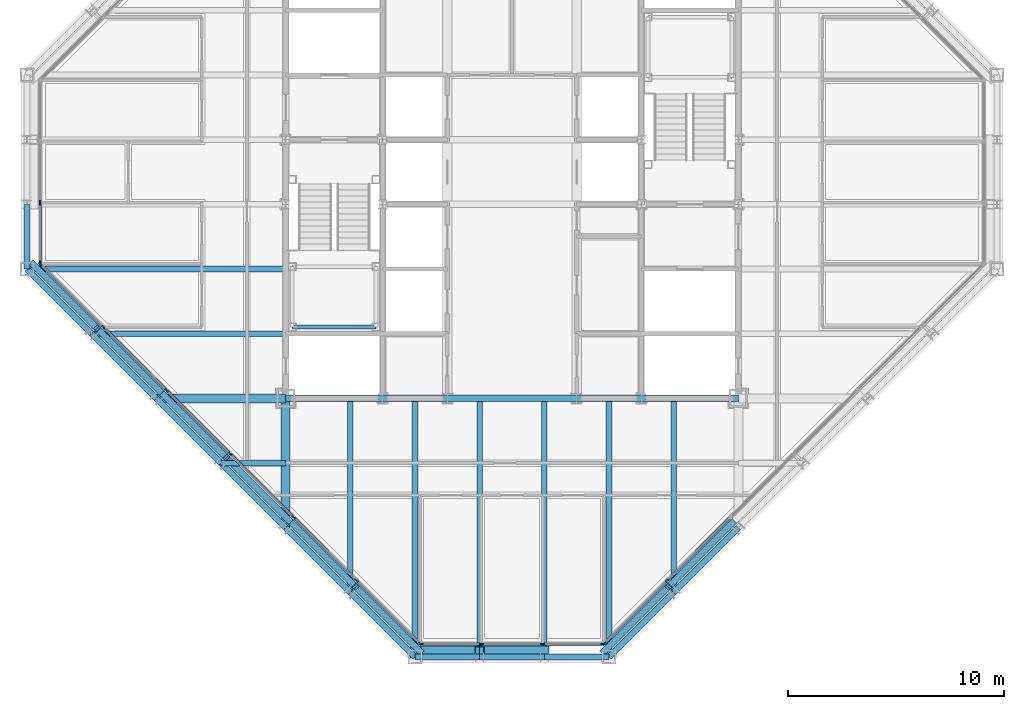
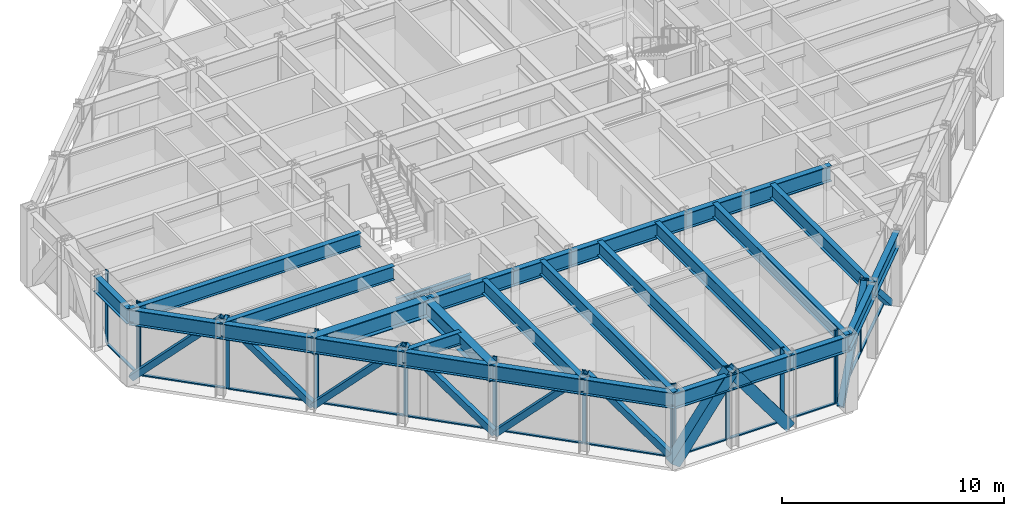
# One storey, part 5 of 15: 37 members, 29 beams, 4 elements without a shape of their own.
"""IFC4 building model written with IfcOpenShell, lengths in metres."""

from ifc_helpers import new_model, si_unit, direction, frame, origin, origin_2d, place, context, subcontext, project, spatial, rectangle, hollow_rectangle, i_section, extrude, material, layer, layer_set, material_profile, profile_set, type_object, element, aggregate, save


model = new_model("IFC4")

# Units and contexts
model_context = context("Model", 3, precision=1e-05, world=origin(), true_north=direction((0.0, 1.0)))
body_context = subcontext(model_context, "Body", "Model", "MODEL_VIEW")
ifc_project = project(units=[si_unit("LENGTHUNIT", "METRE"), si_unit("AREAUNIT", "SQUARE_METRE"), si_unit("VOLUMEUNIT", "CUBIC_METRE"), si_unit("PLANEANGLEUNIT", "RADIAN"), si_unit("MASSUNIT", "GRAM", prefix="KILO")], contexts=[model_context])

# Site, building, storey
site_placement = place(None, origin())
site = spatial("IfcSite", under=ifc_project, at=site_placement, CompositionType="ELEMENT")
building_placement = place(site_placement, origin())
building = spatial("IfcBuilding", under=site, at=building_placement, Name="Chuquiago Exchange Tower", CompositionType="ELEMENT")
storey_placement = place(building_placement, frame((0.0, 0.0, 295.800048828125)))
storey = spatial("IfcBuildingStorey", under=building, at=storey_placement, Name="L66", CompositionType="ELEMENT", Elevation=295.800048828125)

# Beams
ifc_material_1 = material(Name="Steel ASTM A992", Category="steel")
ifc_material_profile_1 = material_profile(ifc_material_1, i_section(OverallWidth=0.2919921875, OverallDepth=0.8583984375, WebThickness=0.01708984375, FlangeThickness=0.031005859375, at=origin_2d()), Name="W33X169")
ifc_profile_set_1 = profile_set([ifc_material_profile_1], Name="Steel ASTM A992")
beam_type_1 = type_object("IfcBeamType", Name="B3 W33X169", PredefinedType="BEAM", material=ifc_profile_set_1)
beam_1_placement = place(storey_placement, frame((12.0, 12.0, 3.610595703125), z_axis=(1.0, 0.0, 0.0), x_axis=(0.0, 1.0, 0.0)))
element("IfcBeam", 1, at=beam_1_placement, inside=storey, type_object=beam_type_1, Name="CB-L67-12_12-16.5_12", PredefinedType="BEAM", context=body_context, shape_type="SweptSolid", body=[
    extrude(i_section(OverallWidth=0.2919921875, OverallDepth=0.8583984375, WebThickness=0.01708984375, FlangeThickness=0.031005859375, at=origin_2d()), origin(), (0.0, 0.0, 1.0), 4.5),
])
beam_2_placement = place(storey_placement, frame((16.5, 12.0, 3.610595703125), z_axis=(1.0, 0.0, 0.0), x_axis=(0.0, 1.0, 0.0)))
element("IfcBeam", 2, at=beam_2_placement, inside=storey, type_object=beam_type_1, Name="CB-L67-16.5_12-19.5_12", PredefinedType="BEAM", context=body_context, shape_type="SweptSolid", body=[
    extrude(i_section(OverallWidth=0.2919921875, OverallDepth=0.8583984375, WebThickness=0.01708984375, FlangeThickness=0.031005859375, at=origin_2d()), origin(), (0.0, 0.0, 1.0), 3.0),
])
beam_3_placement = place(storey_placement, frame((19.5, 12.0, 3.610595703125), z_axis=(1.0, 0.0, 0.0), x_axis=(0.0, 1.0, 0.0)))
element("IfcBeam", 3, at=beam_3_placement, inside=storey, type_object=beam_type_1, Name="CB-L67-19.5_12-25.5_12", PredefinedType="BEAM", context=body_context, shape_type="SweptSolid", body=[
    extrude(i_section(OverallWidth=0.2919921875, OverallDepth=0.8583984375, WebThickness=0.01708984375, FlangeThickness=0.031005859375, at=origin_2d()), origin(), (0.0, 0.0, 1.0), 6.0),
])
beam_4_placement = place(storey_placement, frame((25.5, 12.0, 3.610595703125), z_axis=(1.0, 0.0, 0.0), x_axis=(0.0, 1.0, 0.0)))
element("IfcBeam", 4, at=beam_4_placement, inside=storey, type_object=beam_type_1, Name="CB-L67-25.5_12-28.5_12", PredefinedType="BEAM", context=body_context, shape_type="SweptSolid", body=[
    extrude(i_section(OverallWidth=0.2919921875, OverallDepth=0.8583984375, WebThickness=0.01708984375, FlangeThickness=0.031005859375, at=origin_2d()), origin(), (0.0, 0.0, 1.0), 3.0),
])
beam_5_placement = place(storey_placement, frame((28.5, 12.0, 3.610595703125), z_axis=(1.0, 0.0, 0.0), x_axis=(0.0, 1.0, 0.0)))
element("IfcBeam", 5, at=beam_5_placement, inside=storey, type_object=beam_type_1, Name="CB-L67-28.5_12-33_12", PredefinedType="BEAM", context=body_context, shape_type="SweptSolid", body=[
    extrude(i_section(OverallWidth=0.2919921875, OverallDepth=0.8583984375, WebThickness=0.01708984375, FlangeThickness=0.031005859375, at=origin_2d()), origin(), (0.0, 0.0, 1.0), 4.5),
])
ifc_material_2 = material(Name="Steel ASTM A992", Category="steel")
ifc_material_profile_2 = material_profile(ifc_material_2, i_section(OverallWidth=0.2666015625, OverallDepth=0.761962890625, WebThickness=0.014404296875, FlangeThickness=0.021484375, at=origin_2d()), Name="W30X116")
ifc_profile_set_2 = profile_set([ifc_material_profile_2], Name="Steel ASTM A992")
beam_type_2 = type_object("IfcBeamType", Name="B8 W30X116", PredefinedType="BEAM", material=ifc_profile_set_2)
beam_6_placement = place(storey_placement, frame((15.0, 12.0, 3.658935546875), z_axis=(0.0, -1.0, 0.0), x_axis=(1.0, 0.0, 0.0)))
element("IfcBeam", 6, at=beam_6_placement, inside=storey, type_object=beam_type_2, Name="FB-L67-infill-15_12-15_3-0", PredefinedType="BEAM", context=body_context, shape_type="SweptSolid", body=[
    extrude(i_section(OverallWidth=0.2666015625, OverallDepth=0.761962890625, WebThickness=0.014404296875, FlangeThickness=0.021484375, at=origin_2d()), origin(), (0.0, 0.0, 1.0), 9.0),
])
for number, where, z_axis, x_axis, name in (
    (7, (18.0, 12.0, 3.658935546875), (0.0, -1.0, 0.0), (1.0, 0.0, 0.0), "FB-L67-infill-18_12-18_-0-0"),
    (8, (21.0, 12.0, 3.658935546875), (0.0, -1.0, 0.0), (1.0, 0.0, 0.0), "FB-L67-infill-21_12-21_-0-0"),
    (9, (24.0, 12.0, 3.658935546875), (0.0, -1.0, 0.0), (1.0, 0.0, 0.0), "FB-L67-infill-24_12-24_-0-0"),
    (10, (27.0, 12.0, 3.658935546875), (0.0, -1.0, 0.0), (1.0, 0.0, 0.0), "FB-L67-infill-27_12-27_-0-0"),
):
    element("IfcBeam", number, at=place(storey_placement, frame(where, z_axis=z_axis, x_axis=x_axis)), inside=storey, type_object=beam_type_2, Name=name, PredefinedType="BEAM", context=body_context, shape_type="SweptSolid", body=[
        extrude(i_section(OverallWidth=0.2666015625, OverallDepth=0.761962890625, WebThickness=0.014404296875, FlangeThickness=0.021484375, at=origin_2d()), origin(), (0.0, 0.0, 1.0), 12.0),
    ])
for number, where, z_axis, x_axis, name in (
    (11, (30.0, 12.0, 3.658935546875), (0.0, -1.0, 0.0), (1.0, 0.0, 0.0), "FB-L67-infill-30_12-30_3-0"),
    (12, (12.0, 15.0, 3.658935546875), (-1.0, 0.0, 0.0), (0.0, -1.0, 0.0), "FB-L67-infill-12_15-3_15-0"),
):
    element("IfcBeam", number, at=place(storey_placement, frame(where, z_axis=z_axis, x_axis=x_axis)), inside=storey, type_object=beam_type_2, Name=name, PredefinedType="BEAM", context=body_context, shape_type="SweptSolid", body=[
        extrude(i_section(OverallWidth=0.2666015625, OverallDepth=0.761962890625, WebThickness=0.014404296875, FlangeThickness=0.021484375, at=origin_2d()), origin(), (0.0, 0.0, 1.0), 9.0),
    ])
beam_7_placement = place(storey_placement, frame((12.0, 18.0, 3.658935546875), z_axis=(-1.0, 0.0, 0.0), x_axis=(0.0, -1.0, 0.0)))
element("IfcBeam", 13, at=beam_7_placement, inside=storey, type_object=beam_type_2, Name="FB-L67-infill-12_18--0_18-0", PredefinedType="BEAM", context=body_context, shape_type="SweptSolid", body=[
    extrude(i_section(OverallWidth=0.2666015625, OverallDepth=0.761962890625, WebThickness=0.014404296875, FlangeThickness=0.021484375, at=origin_2d()), origin(), (0.0, 0.0, 1.0), 12.0),
])
ifc_material_3 = material(Name="Steel ASTM A992", Category="steel")
ifc_material_profile_3 = material_profile(ifc_material_3, i_section(OverallWidth=0.256591796875, OverallDepth=0.693359375, WebThickness=0.014404296875, FlangeThickness=0.023681640625, at=origin_2d()), Name="W27X114")
ifc_profile_set_3 = profile_set([ifc_material_profile_3], Name="Steel ASTM A992")
beam_type_3 = type_object("IfcBeamType", Name="B9 W27X114", PredefinedType="BEAM", material=ifc_profile_set_3)
beam_8_placement = place(storey_placement, frame((12.0, 9.0, 3.693359375), z_axis=(-1.0, 0.0, 0.0), x_axis=(0.0, -1.0, 0.0)))
element("IfcBeam", 14, at=beam_8_placement, inside=storey, type_object=beam_type_3, Name="FB-L67-corner-12_9-9_9-0", PredefinedType="BEAM", context=body_context, shape_type="SweptSolid", body=[
    extrude(i_section(OverallWidth=0.256591796875, OverallDepth=0.693359375, WebThickness=0.014404296875, FlangeThickness=0.023681640625, at=origin_2d()), origin(), (0.0, 0.0, 1.0), 3.0),
])

# Curtain wall, members
ifc_material_4 = material(Name="Aluminium curtain wall system", Category="aluminium")
ifc_layer_1 = layer(ifc_material_4, 0.22509765625)
ifc_layer_set_1 = layer_set([ifc_layer_1], Name="CW2 office curtain wall")
curtain_wall_type_1 = type_object("IfcCurtainWallType", Name="CW2 office curtain wall", PredefinedType="NOTDEFINED", material=ifc_layer_set_1)
curtain_wall_1_placement = place(storey_placement, origin())
curtain_wall_1 = element("IfcCurtainWall", 15, at=curtain_wall_1_placement, inside=storey, type_object=curtain_wall_type_1, Name="CW2 curtain wall L66", PredefinedType="NOTDEFINED")
ifc_material_5 = material(Name="Aluminium mullion, pale anodised", Category="aluminium")
ifc_material_profile_4 = material_profile(ifc_material_5, rectangle(XDim=0.06494140625, YDim=0.22509765625, at=origin_2d()), Name="AL 65x225")
ifc_profile_set_4 = profile_set([ifc_material_profile_4], Name="Aluminium mullion, pale anodised")
member_type_1 = type_object("IfcMemberType", Name="CW2-M mullion 65x225", PredefinedType="MULLION", material=ifc_profile_set_4)
member_1_placement = place(storey_placement, frame((18.281005859375, 0.60009765625, 0.0), z_axis=(0.0, 0.0, 1.0), x_axis=(0.0, 1.0, 0.0)))
member_1 = element("IfcMember", 16, at=member_1_placement, type_object=member_type_1, Name="CW2 mullion 1", PredefinedType="MULLION", context=body_context, shape_type="SweptSolid", body=[
    extrude(rectangle(XDim=0.06494140625, YDim=0.22509765625, at=origin_2d()), origin(), (0.0, 0.0, 1.0), 4.0400390625),
])
member_2_placement = place(storey_placement, frame((21.082763671875, 0.60009765625, 0.0), z_axis=(0.0, 0.0, 1.0), x_axis=(0.0, 1.0, 0.0)))
member_2 = element("IfcMember", 17, at=member_2_placement, type_object=member_type_1, Name="CW2 mullion 2", PredefinedType="MULLION", context=body_context, shape_type="SweptSolid", body=[
    extrude(rectangle(XDim=0.06494140625, YDim=0.22509765625, at=origin_2d()), origin(), (0.0, 0.0, 1.0), 4.0400390625),
])
member_3_placement = place(storey_placement, frame((23.917236328125, 0.60009765625, 0.0), z_axis=(0.0, 0.0, 1.0), x_axis=(0.0, 1.0, 0.0)))
member_3 = element("IfcMember", 18, at=member_3_placement, type_object=member_type_1, Name="CW2 mullion 3", PredefinedType="MULLION", context=body_context, shape_type="SweptSolid", body=[
    extrude(rectangle(XDim=0.06494140625, YDim=0.22509765625, at=origin_2d()), origin(), (0.0, 0.0, 1.0), 4.0400390625),
])
member_4_placement = place(storey_placement, frame((26.718994140625, 0.60009765625, 0.0), z_axis=(0.0, 0.0, 1.0), x_axis=(0.0, 1.0, 0.0)))
member_4 = element("IfcMember", 19, at=member_4_placement, type_object=member_type_1, Name="CW2 mullion 4", PredefinedType="MULLION", context=body_context, shape_type="SweptSolid", body=[
    extrude(rectangle(XDim=0.06494140625, YDim=0.22509765625, at=origin_2d()), origin(), (0.0, 0.0, 1.0), 4.0400390625),
])

curtain_wall_2_placement = place(storey_placement, origin())
curtain_wall_2 = element("IfcCurtainWall", 20, at=curtain_wall_2_placement, inside=storey, type_object=curtain_wall_type_1, Name="CW2 curtain wall L66", PredefinedType="NOTDEFINED")
member_5_placement = place(storey_placement, frame((0.60009765625, 21.082763671875, 0.0), z_axis=(0.0, 0.0, 1.0), x_axis=(1.0, 0.0, 0.0)))
member_5 = element("IfcMember", 21, at=member_5_placement, type_object=member_type_1, Name="CW2 mullion 3", PredefinedType="MULLION", context=body_context, shape_type="SweptSolid", body=[
    extrude(rectangle(XDim=0.06494140625, YDim=0.22509765625, at=origin_2d()), origin(), (0.0, 0.0, 1.0), 4.0400390625),
])
member_6_placement = place(storey_placement, frame((0.60009765625, 18.281005859375, 0.0), z_axis=(0.0, 0.0, 1.0), x_axis=(1.0, 0.0, 0.0)))
member_6 = element("IfcMember", 22, at=member_6_placement, type_object=member_type_1, Name="CW2 mullion 4", PredefinedType="MULLION", context=body_context, shape_type="SweptSolid", body=[
    extrude(rectangle(XDim=0.06494140625, YDim=0.22509765625, at=origin_2d()), origin(), (0.0, 0.0, 1.0), 4.0400390625),
])

# Member
ifc_material_6 = material(Name="Aluminium transom, pale anodised", Category="aluminium")
ifc_material_profile_5 = material_profile(ifc_material_6, rectangle(XDim=0.139892578125, YDim=0.06494140625, at=origin_2d()), Name="AL 140x65")
ifc_profile_set_5 = profile_set([ifc_material_profile_5], Name="Aluminium transom, pale anodised")
member_type_2 = type_object("IfcMemberType", Name="CW2-T transom 65x140", PredefinedType="MULLION", material=ifc_profile_set_5)
member_7_placement = place(storey_placement, frame((18.3134765625, 0.60009765625, 0.032470703125), z_axis=(1.0, 0.0, 0.0), x_axis=(0.0, 1.0, 0.0)))
member_7 = element("IfcMember", 23, at=member_7_placement, type_object=member_type_2, Name="CW2 transom 1.1", PredefinedType="MULLION", context=body_context, shape_type="SweptSolid", body=[
    extrude(rectangle(XDim=0.139892578125, YDim=0.06494140625, at=origin_2d()), origin(), (0.0, 0.0, 1.0), 2.73681640625),
])

member_8_placement = place(storey_placement, frame((21.115234375, 0.60009765625, 0.032470703125), z_axis=(1.0, 0.0, 0.0), x_axis=(0.0, 1.0, 0.0)))
member_8 = element("IfcMember", 24, at=member_8_placement, type_object=member_type_2, Name="CW2 transom 2.1", PredefinedType="MULLION", context=body_context, shape_type="SweptSolid", body=[
    extrude(rectangle(XDim=0.139892578125, YDim=0.06494140625, at=origin_2d()), origin(), (0.0, 0.0, 1.0), 2.76953125),
])

member_9_placement = place(storey_placement, frame((23.94970703125, 0.60009765625, 0.032470703125), z_axis=(1.0, 0.0, 0.0), x_axis=(0.0, 1.0, 0.0)))
member_9 = element("IfcMember", 25, at=member_9_placement, type_object=member_type_2, Name="CW2 transom 3.1", PredefinedType="MULLION", context=body_context, shape_type="SweptSolid", body=[
    extrude(rectangle(XDim=0.139892578125, YDim=0.06494140625, at=origin_2d()), origin(), (0.0, 0.0, 1.0), 2.73681640625),
])

aggregate(curtain_wall_1, [member_1, member_2, member_3, member_4, member_7, member_8, member_9])

member_10_placement = place(storey_placement, frame((0.60009765625, 21.05029296875, 0.032470703125), z_axis=(0.0, -1.0, 0.0), x_axis=(1.0, 0.0, 0.0)))
member_10 = element("IfcMember", 26, at=member_10_placement, type_object=member_type_2, Name="CW2 transom 3.1", PredefinedType="MULLION", context=body_context, shape_type="SweptSolid", body=[
    extrude(rectangle(XDim=0.139892578125, YDim=0.06494140625, at=origin_2d()), origin(), (0.0, 0.0, 1.0), 2.73681640625),
])

aggregate(curtain_wall_2, [member_5, member_6, member_10])

# Curtain wall, members
ifc_material_7 = material(Name="Aluminium curtain wall system", Category="aluminium")
ifc_layer_2 = layer(ifc_material_7, 0.199951171875)
ifc_layer_set_2 = layer_set([ifc_layer_2], Name="CW3 facet curtain wall")
curtain_wall_type_2 = type_object("IfcCurtainWallType", Name="CW3 facet curtain wall", PredefinedType="NOTDEFINED", material=ifc_layer_set_2)
curtain_wall_3_placement = place(storey_placement, origin())
curtain_wall_3 = element("IfcCurtainWall", 27, at=curtain_wall_3_placement, inside=storey, type_object=curtain_wall_type_2, Name="CW3 curtain wall L66", PredefinedType="NOTDEFINED")
ifc_material_8 = material(Name="Aluminium mullion, pale anodised", Category="aluminium")
ifc_material_profile_6 = material_profile(ifc_material_8, rectangle(XDim=0.06494140625, YDim=0.199951171875, at=origin_2d()), Name="AL 65x200")
ifc_profile_set_6 = profile_set([ifc_material_profile_6], Name="Aluminium mullion, pale anodised")
member_type_3 = type_object("IfcMemberType", Name="CW3-M mullion 65x200", PredefinedType="MULLION", material=ifc_profile_set_6)
member_11_placement = place(storey_placement, frame((26.7744140625, 0.623046875, 0.0), z_axis=(0.0, 0.0, 1.0), x_axis=(-0.707106781187, 0.707106781187, 0.0)))
member_11 = element("IfcMember", 28, at=member_11_placement, type_object=member_type_3, Name="CW3 mullion 1", PredefinedType="MULLION", context=body_context, shape_type="SweptSolid", body=[
    extrude(rectangle(XDim=0.06494140625, YDim=0.199951171875, at=origin_2d()), origin(), (0.0, 0.0, 1.0), 4.0400390625),
])
member_12_placement = place(storey_placement, frame((29.69287109375, 3.54150390625, 0.0), z_axis=(0.0, 0.0, 1.0), x_axis=(-0.707106781187, 0.707106781187, 0.0)))
member_12 = element("IfcMember", 29, at=member_12_placement, type_object=member_type_3, Name="CW3 mullion 2", PredefinedType="MULLION", context=body_context, shape_type="SweptSolid", body=[
    extrude(rectangle(XDim=0.06494140625, YDim=0.199951171875, at=origin_2d()), origin(), (0.0, 0.0, 1.0), 4.0400390625),
])

curtain_wall_4_placement = place(storey_placement, origin())
curtain_wall_4 = element("IfcCurtainWall", 30, at=curtain_wall_4_placement, inside=storey, type_object=curtain_wall_type_2, Name="CW3 curtain wall L66", PredefinedType="NOTDEFINED")
member_13_placement = place(storey_placement, frame((0.623046875, 18.2255859375, 0.0), z_axis=(0.0, 0.0, 1.0), x_axis=(0.707106781187, 0.707106781187, 0.0)))
member_13 = element("IfcMember", 31, at=member_13_placement, type_object=member_type_3, Name="CW3 mullion 1", PredefinedType="MULLION", context=body_context, shape_type="SweptSolid", body=[
    extrude(rectangle(XDim=0.06494140625, YDim=0.199951171875, at=origin_2d()), origin(), (0.0, 0.0, 1.0), 4.0400390625),
])
member_14_placement = place(storey_placement, frame((3.54150390625, 15.30712890625, 0.0), z_axis=(0.0, 0.0, 1.0), x_axis=(0.707106781187, 0.707106781187, 0.0)))
member_14 = element("IfcMember", 32, at=member_14_placement, type_object=member_type_3, Name="CW3 mullion 2", PredefinedType="MULLION", context=body_context, shape_type="SweptSolid", body=[
    extrude(rectangle(XDim=0.06494140625, YDim=0.199951171875, at=origin_2d()), origin(), (0.0, 0.0, 1.0), 4.0400390625),
])
member_15_placement = place(storey_placement, frame((6.48291015625, 12.36572265625, 0.0), z_axis=(0.0, 0.0, 1.0), x_axis=(0.707106781187, 0.707106781187, 0.0)))
member_15 = element("IfcMember", 33, at=member_15_placement, type_object=member_type_3, Name="CW3 mullion 3", PredefinedType="MULLION", context=body_context, shape_type="SweptSolid", body=[
    extrude(rectangle(XDim=0.06494140625, YDim=0.199951171875, at=origin_2d()), origin(), (0.0, 0.0, 1.0), 4.0400390625),
])
member_16_placement = place(storey_placement, frame((9.42431640625, 9.42431640625, 0.0), z_axis=(0.0, 0.0, 1.0), x_axis=(0.707106781187, 0.707106781187, 0.0)))
member_16 = element("IfcMember", 34, at=member_16_placement, type_object=member_type_3, Name="CW3 mullion 4", PredefinedType="MULLION", context=body_context, shape_type="SweptSolid", body=[
    extrude(rectangle(XDim=0.06494140625, YDim=0.199951171875, at=origin_2d()), origin(), (0.0, 0.0, 1.0), 4.0400390625),
])
member_17_placement = place(storey_placement, frame((12.36572265625, 6.48291015625, 0.0), z_axis=(0.0, 0.0, 1.0), x_axis=(0.707106781187, 0.707106781187, 0.0)))
member_17 = element("IfcMember", 35, at=member_17_placement, type_object=member_type_3, Name="CW3 mullion 5", PredefinedType="MULLION", context=body_context, shape_type="SweptSolid", body=[
    extrude(rectangle(XDim=0.06494140625, YDim=0.199951171875, at=origin_2d()), origin(), (0.0, 0.0, 1.0), 4.0400390625),
])
member_18_placement = place(storey_placement, frame((15.30712890625, 3.54150390625, 0.0), z_axis=(0.0, 0.0, 1.0), x_axis=(0.707106781187, 0.707106781187, 0.0)))
member_18 = element("IfcMember", 36, at=member_18_placement, type_object=member_type_3, Name="CW3 mullion 6", PredefinedType="MULLION", context=body_context, shape_type="SweptSolid", body=[
    extrude(rectangle(XDim=0.06494140625, YDim=0.199951171875, at=origin_2d()), origin(), (0.0, 0.0, 1.0), 4.0400390625),
])
member_19_placement = place(storey_placement, frame((18.2255859375, 0.623046875, 0.0), z_axis=(0.0, 0.0, 1.0), x_axis=(0.707106781187, 0.707106781187, 0.0)))
member_19 = element("IfcMember", 37, at=member_19_placement, type_object=member_type_3, Name="CW3 mullion 7", PredefinedType="MULLION", context=body_context, shape_type="SweptSolid", body=[
    extrude(rectangle(XDim=0.06494140625, YDim=0.199951171875, at=origin_2d()), origin(), (0.0, 0.0, 1.0), 4.0400390625),
])

# Member
ifc_material_9 = material(Name="Aluminium transom, pale anodised", Category="aluminium")
ifc_material_profile_7 = material_profile(ifc_material_9, rectangle(XDim=0.139892578125, YDim=0.06494140625, at=origin_2d()), Name="AL 140x65")
ifc_profile_set_7 = profile_set([ifc_material_profile_7], Name="Aluminium transom, pale anodised")
member_type_4 = type_object("IfcMemberType", Name="CW3-T transom 65x140", PredefinedType="MULLION", material=ifc_profile_set_7)
member_20_placement = place(storey_placement, frame((26.79736328125, 0.64599609375, 0.032470703125), z_axis=(0.707106781187, 0.707106781187, 0.0), x_axis=(-0.707106781187, 0.707106781187, 0.0)))
member_20 = element("IfcMember", 38, at=member_20_placement, type_object=member_type_4, Name="CW3 transom 1.1", PredefinedType="MULLION", context=body_context, shape_type="SweptSolid", body=[
    extrude(rectangle(XDim=0.139892578125, YDim=0.06494140625, at=origin_2d()), origin(), (0.0, 0.0, 1.0), 4.0625),
])

member_21_placement = place(storey_placement, frame((29.7158203125, 3.564453125, 0.032470703125), z_axis=(0.707106781187, 0.707106781187, 0.0), x_axis=(-0.707106781187, 0.707106781187, 0.0)))
member_21 = element("IfcMember", 39, at=member_21_placement, type_object=member_type_4, Name="CW3 transom 2.1", PredefinedType="MULLION", context=body_context, shape_type="SweptSolid", body=[
    extrude(rectangle(XDim=0.139892578125, YDim=0.06494140625, at=origin_2d()), origin(), (0.0, 0.0, 1.0), 4.094970703125),
])

aggregate(curtain_wall_3, [member_11, member_12, member_20, member_21])

member_22_placement = place(storey_placement, frame((0.64599609375, 18.20263671875, 0.032470703125), z_axis=(0.707106781187, -0.707106781187, 0.0), x_axis=(0.707106781187, 0.707106781187, 0.0)))
member_22 = element("IfcMember", 40, at=member_22_placement, type_object=member_type_4, Name="CW3 transom 1.1", PredefinedType="MULLION", context=body_context, shape_type="SweptSolid", body=[
    extrude(rectangle(XDim=0.139892578125, YDim=0.06494140625, at=origin_2d()), origin(), (0.0, 0.0, 1.0), 4.0625),
])

member_23_placement = place(storey_placement, frame((3.564453125, 15.2841796875, 0.032470703125), z_axis=(0.707106781187, -0.707106781187, 0.0), x_axis=(0.707106781187, 0.707106781187, 0.0)))
member_23 = element("IfcMember", 41, at=member_23_placement, type_object=member_type_4, Name="CW3 transom 2.1", PredefinedType="MULLION", context=body_context, shape_type="SweptSolid", body=[
    extrude(rectangle(XDim=0.139892578125, YDim=0.06494140625, at=origin_2d()), origin(), (0.0, 0.0, 1.0), 4.094970703125),
])

member_24_placement = place(storey_placement, frame((6.505859375, 12.3427734375, 0.032470703125), z_axis=(0.707106781187, -0.707106781187, 0.0), x_axis=(0.707106781187, 0.707106781187, 0.0)))
member_24 = element("IfcMember", 42, at=member_24_placement, type_object=member_type_4, Name="CW3 transom 3.1", PredefinedType="MULLION", context=body_context, shape_type="SweptSolid", body=[
    extrude(rectangle(XDim=0.139892578125, YDim=0.06494140625, at=origin_2d()), origin(), (0.0, 0.0, 1.0), 4.094970703125),
])

member_25_placement = place(storey_placement, frame((9.447265625, 9.4013671875, 0.032470703125), z_axis=(0.707106781187, -0.707106781187, 0.0), x_axis=(0.707106781187, 0.707106781187, 0.0)))
member_25 = element("IfcMember", 43, at=member_25_placement, type_object=member_type_4, Name="CW3 transom 4.1", PredefinedType="MULLION", context=body_context, shape_type="SweptSolid", body=[
    extrude(rectangle(XDim=0.139892578125, YDim=0.06494140625, at=origin_2d()), origin(), (0.0, 0.0, 1.0), 4.094970703125),
])

member_26_placement = place(storey_placement, frame((12.388671875, 6.4599609375, 0.032470703125), z_axis=(0.707106781187, -0.707106781187, 0.0), x_axis=(0.707106781187, 0.707106781187, 0.0)))
member_26 = element("IfcMember", 44, at=member_26_placement, type_object=member_type_4, Name="CW3 transom 5.1", PredefinedType="MULLION", context=body_context, shape_type="SweptSolid", body=[
    extrude(rectangle(XDim=0.139892578125, YDim=0.06494140625, at=origin_2d()), origin(), (0.0, 0.0, 1.0), 4.094970703125),
])

member_27_placement = place(storey_placement, frame((15.330078125, 3.5185546875, 0.032470703125), z_axis=(0.707106781187, -0.707106781187, 0.0), x_axis=(0.707106781187, 0.707106781187, 0.0)))
member_27 = element("IfcMember", 45, at=member_27_placement, type_object=member_type_4, Name="CW3 transom 6.1", PredefinedType="MULLION", context=body_context, shape_type="SweptSolid", body=[
    extrude(rectangle(XDim=0.139892578125, YDim=0.06494140625, at=origin_2d()), origin(), (0.0, 0.0, 1.0), 4.0625),
])

aggregate(curtain_wall_4, [member_13, member_14, member_15, member_16, member_17, member_18, member_19, member_22, member_23, member_24, member_25, member_26, member_27])

# Beams
ifc_material_10 = material(Name="Steel ASTM A992", Category="steel")
ifc_material_profile_8 = material_profile(ifc_material_10, i_section(OverallWidth=0.424072265625, OverallDepth=0.947509765625, WebThickness=0.02392578125, FlangeThickness=0.042724609375, at=origin_2d()), Name="W36X302")
ifc_profile_set_8 = profile_set([ifc_material_profile_8], Name="Steel ASTM A992")
beam_type_4 = type_object("IfcBeamType", Name="G4 W36X302", PredefinedType="BEAM", material=ifc_profile_set_8)
for number, where, z_axis, x_axis, name in (
    (46, (12.0, 12.0, 3.566162109375), (0.0, -1.0, 0.0), (1.0, 0.0, 0.0), "FB-L67-girder-12_12-12_6-0"),
    (47, (12.0, 12.0, 3.566162109375), (-1.0, 0.0, 0.0), (0.0, -1.0, 0.0), "FB-L67-girder-12_12-6_12-0"),
):
    element("IfcBeam", number, at=place(storey_placement, frame(where, z_axis=z_axis, x_axis=x_axis)), inside=storey, type_object=beam_type_4, Name=name, PredefinedType="BEAM", context=body_context, shape_type="SweptSolid", body=[
        extrude(i_section(OverallWidth=0.424072265625, OverallDepth=0.947509765625, WebThickness=0.02392578125, FlangeThickness=0.042724609375, at=origin_2d()), origin(), (0.0, 0.0, 1.0), 6.0),
    ])

# Members
ifc_material_11 = material(Name="Steel ASTM A500 Grade C", Category="steel")
ifc_material_profile_9 = material_profile(ifc_material_11, hollow_rectangle(XDim=0.3046875, YDim=0.3046875, WallThickness=0.0146484375, at=origin_2d()), Name="HSS12X12X5/8")
ifc_profile_set_9 = profile_set([ifc_material_profile_9], Name="Steel ASTM A500 Grade C")
member_type_5 = type_object("IfcMemberType", Name="LB3 HSS12X12X5/8", PredefinedType="BRACE", material=ifc_profile_set_9)
for number, where, z_axis, x_axis, name in (
    (48, (26.750732421875, 0.249267578125, 0.0), (0.512077265487, 0.512077265487, 0.689604051861), (-0.707106781187, 0.707106781187, 0.0), "LB-L66-27_0-30_3"),
    (49, (32.750732421875, 6.249267578125, 0.0), (-0.512077265487, -0.512077265487, 0.689604051861), (0.707106781187, -0.707106781187, 0.0), "LB-L66-30_3-33_6"),
    (50, (0.249267578125, 18.249267578125, 0.0), (0.512077265487, -0.512077265487, 0.689604051861), (0.707106781187, 0.707106781187, 0.0), "LB-L66-0_18-3_15"),
    (51, (6.249267578125, 12.249267578125, 0.0), (-0.512077265487, 0.512077265487, 0.689604051861), (-0.707106781187, -0.707106781187, 0.0), "LB-L66-3_15-6_12"),
    (52, (6.249267578125, 12.249267578125, 0.0), (0.512077265487, -0.512077265487, 0.689604051861), (0.707106781187, 0.707106781187, 0.0), "LB-L66-6_12-9_9"),
    (53, (12.249267578125, 6.249267578125, 0.0), (-0.512077265487, 0.512077265487, 0.689604051861), (-0.707106781187, -0.707106781187, 0.0), "LB-L66-9_9-12_6"),
    (54, (12.249267578125, 6.249267578125, 0.0), (0.512077265487, -0.512077265487, 0.689604051861), (0.707106781187, 0.707106781187, 0.0), "LB-L66-12_6-15_3"),
    (55, (18.249267578125, 0.249267578125, 0.0), (-0.512077265487, 0.512077265487, 0.689604051861), (-0.707106781187, -0.707106781187, 0.0), "LB-L66-15_3-18_0"),
):
    element("IfcMember", number, at=place(storey_placement, frame(where, z_axis=z_axis, x_axis=x_axis)), inside=storey, type_object=member_type_5, Name=name, PredefinedType="BRACE", context=body_context, shape_type="SweptSolid", body=[
        extrude(hollow_rectangle(XDim=0.3046875, YDim=0.3046875, WallThickness=0.0146484375, at=origin_2d()), origin(), (0.0, 0.0, 1.0), 5.8583984375),
    ])

# Beam
ifc_material_12 = material(Name="Steel ASTM A992", Category="steel")
ifc_material_profile_10 = material_profile(ifc_material_12, i_section(OverallWidth=0.164794921875, OverallDepth=0.309814453125, WebThickness=0.005859375, FlangeThickness=0.009765625, at=origin_2d()), Name="W12X26")
ifc_profile_set_10 = profile_set([ifc_material_profile_10], Name="Steel ASTM A992")
beam_type_5 = type_object("IfcBeamType", Name="LT1 W12X26", PredefinedType="BEAM", material=ifc_profile_set_10)
beam_9_placement = place(storey_placement, frame((12.31005859375, 15.31005859375, 1.7451171875), z_axis=(1.0, 0.0, 0.0), x_axis=(0.0, 1.0, 0.0)))
element("IfcBeam", 56, at=beam_9_placement, inside=storey, type_object=beam_type_5, Name="Stair ST1 L66 landing 1 trimmer", PredefinedType="BEAM", context=body_context, shape_type="SweptSolid", body=[
    extrude(i_section(OverallWidth=0.164794921875, OverallDepth=0.309814453125, WebThickness=0.005859375, FlangeThickness=0.009765625, at=origin_2d()), origin(), (0.0, 0.0, 1.0), 3.8798828125),
])

# Members
ifc_material_13 = material(Name="Steel ASTM A572 Grade 50", Category="steel")
ifc_material_profile_11 = material_profile(ifc_material_13, hollow_rectangle(XDim=0.550048828125, YDim=0.550048828125, WallThickness=0.044921875, at=origin_2d()), Name="BOX550X550X45")
ifc_profile_set_11 = profile_set([ifc_material_profile_11], Name="Steel ASTM A572 Grade 50")
member_type_6 = type_object("IfcMemberType", Name="MB4 BOX550X550X45", PredefinedType="BRACE", material=ifc_profile_set_11)
for number, where, z_axis, x_axis, name in (
    (57, (18.0, 0.22998046875, 0.0), (0.596173923302, 0.0, 0.802855312728), (0.0, 1.0, 0.0), "Mega diagonal L66 S face"),
    (58, (24.0, 0.22998046875, 0.0), (-0.596173923302, 0.0, 0.802855312728), (0.0, -1.0, 0.0), "Mega diagonal L66 S face"),
):
    element("IfcMember", number, at=place(storey_placement, frame(where, z_axis=z_axis, x_axis=x_axis)), inside=storey, type_object=member_type_6, Name=name, PredefinedType="BRACE", context=body_context, shape_type="SweptSolid", body=[
        extrude(hollow_rectangle(XDim=0.550048828125, YDim=0.550048828125, WallThickness=0.044921875, at=origin_2d()), origin(), (0.0, 0.0, 1.0), 5.031982421875),
    ])

# Beams
ifc_material_14 = material(Name="Steel ASTM A992", Category="steel")
ifc_material_profile_12 = material_profile(ifc_material_14, i_section(OverallWidth=0.2919921875, OverallDepth=0.8583984375, WebThickness=0.01708984375, FlangeThickness=0.031005859375, at=origin_2d()), Name="W33X169")
ifc_profile_set_12 = profile_set([ifc_material_profile_12], Name="Steel ASTM A992")
beam_type_6 = type_object("IfcBeamType", Name="SP4 W33X169", PredefinedType="SPANDREL", material=ifc_profile_set_12)
for number, where, z_axis, x_axis, name in (
    (59, (18.0, 0.0, 3.610595703125), (1.0, 0.0, 0.0), (0.0, 1.0, 0.0), "SPB-L67-18_0-21_0"),
    (60, (21.0, 0.0, 3.610595703125), (1.0, 0.0, 0.0), (0.0, 1.0, 0.0), "SPB-L67-21_0-24_0"),
    (61, (24.0, 0.0, 3.610595703125), (1.0, 0.0, 0.0), (0.0, 1.0, 0.0), "SPB-L67-24_0-27_0"),
):
    element("IfcBeam", number, at=place(storey_placement, frame(where, z_axis=z_axis, x_axis=x_axis)), inside=storey, type_object=beam_type_6, Name=name, PredefinedType="SPANDREL", context=body_context, shape_type="SweptSolid", body=[
        extrude(i_section(OverallWidth=0.2919921875, OverallDepth=0.8583984375, WebThickness=0.01708984375, FlangeThickness=0.031005859375, at=origin_2d()), origin(), (0.0, 0.0, 1.0), 3.0),
    ])
for number, where, z_axis, x_axis, name in (
    (62, (27.0, 0.0, 3.610595703125), (0.707106781187, 0.707106781187, 0.0), (-0.707106781187, 0.707106781187, 0.0), "SPB-L67-27_0-30_3"),
    (63, (30.0, 3.0, 3.610595703125), (0.707106781187, 0.707106781187, 0.0), (-0.707106781187, 0.707106781187, 0.0), "SPB-L67-30_3-33_6"),
):
    element("IfcBeam", number, at=place(storey_placement, frame(where, z_axis=z_axis, x_axis=x_axis)), inside=storey, type_object=beam_type_6, Name=name, PredefinedType="SPANDREL", context=body_context, shape_type="SweptSolid", body=[
        extrude(i_section(OverallWidth=0.2919921875, OverallDepth=0.8583984375, WebThickness=0.01708984375, FlangeThickness=0.031005859375, at=origin_2d()), origin(), (0.0, 0.0, 1.0), 4.24267578125),
    ])
beam_10_placement = place(storey_placement, frame((0.0, 21.0, 3.610595703125), z_axis=(0.0, -1.0, 0.0), x_axis=(1.0, 0.0, 0.0)))
element("IfcBeam", 64, at=beam_10_placement, inside=storey, type_object=beam_type_6, Name="SPB-L67-0_21-0_18", PredefinedType="SPANDREL", context=body_context, shape_type="SweptSolid", body=[
    extrude(i_section(OverallWidth=0.2919921875, OverallDepth=0.8583984375, WebThickness=0.01708984375, FlangeThickness=0.031005859375, at=origin_2d()), origin(), (0.0, 0.0, 1.0), 3.0),
])
for number, where, z_axis, x_axis, name in (
    (65, (0.0, 18.0, 3.610595703125), (0.707106781187, -0.707106781187, 0.0), (0.707106781187, 0.707106781187, 0.0), "SPB-L67-0_18-3_15"),
    (66, (3.0, 15.0, 3.610595703125), (0.707106781187, -0.707106781187, 0.0), (0.707106781187, 0.707106781187, 0.0), "SPB-L67-3_15-6_12"),
    (67, (6.0, 12.0, 3.610595703125), (0.707106781187, -0.707106781187, 0.0), (0.707106781187, 0.707106781187, 0.0), "SPB-L67-6_12-9_9"),
    (68, (9.0, 9.0, 3.610595703125), (0.707106781187, -0.707106781187, 0.0), (0.707106781187, 0.707106781187, 0.0), "SPB-L67-9_9-12_6"),
    (69, (12.0, 6.0, 3.610595703125), (0.707106781187, -0.707106781187, 0.0), (0.707106781187, 0.707106781187, 0.0), "SPB-L67-12_6-15_3"),
    (70, (15.0, 3.0, 3.610595703125), (0.707106781187, -0.707106781187, 0.0), (0.707106781187, 0.707106781187, 0.0), "SPB-L67-15_3-18_0"),
):
    element("IfcBeam", number, at=place(storey_placement, frame(where, z_axis=z_axis, x_axis=x_axis)), inside=storey, type_object=beam_type_6, Name=name, PredefinedType="SPANDREL", context=body_context, shape_type="SweptSolid", body=[
        extrude(i_section(OverallWidth=0.2919921875, OverallDepth=0.8583984375, WebThickness=0.01708984375, FlangeThickness=0.031005859375, at=origin_2d()), origin(), (0.0, 0.0, 1.0), 4.24267578125),
    ])

save(model, "model.ifc")
